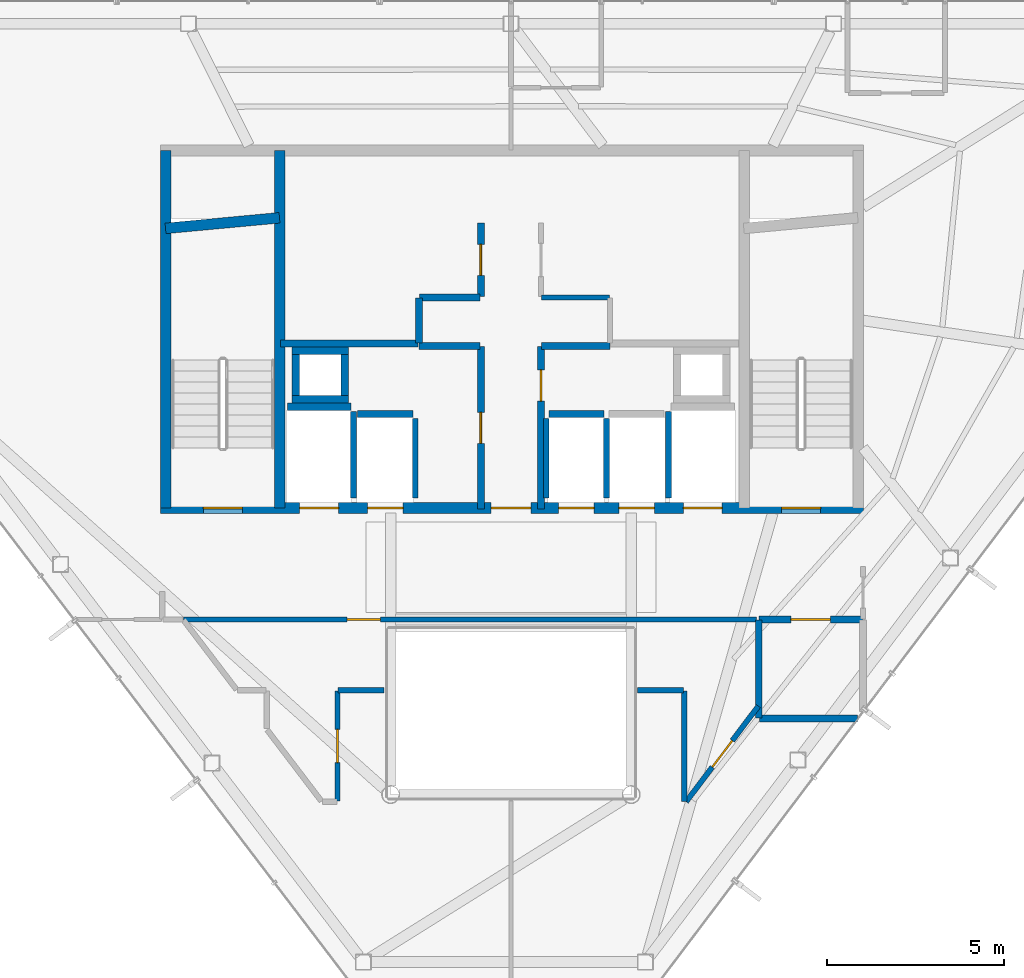
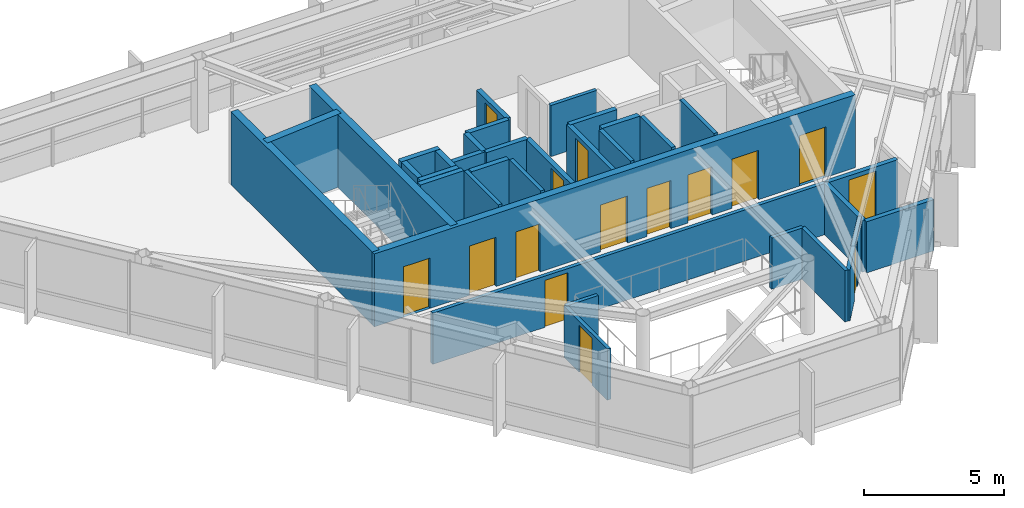
# One storey, part 21 of 23: 34 walls, 15 doors, 15 openings.
"""IFC4 building model written with IfcOpenShell, lengths in metres."""

from ifc_helpers import new_model, si_unit, direction, frame, frame_2d, origin, place, context, subcontext, project, spatial, rectangle, extrude, material, layer, layer_set, type_object, element, fill, save


model = new_model("IFC4")

# Units and contexts
model_context = context("Model", 3, precision=1e-05, world=origin(), true_north=direction((0.0, 1.0)))
body_context = subcontext(model_context, "Body", "Model", "MODEL_VIEW")
ifc_project = project(units=[si_unit("LENGTHUNIT", "METRE"), si_unit("AREAUNIT", "SQUARE_METRE"), si_unit("VOLUMEUNIT", "CUBIC_METRE"), si_unit("PLANEANGLEUNIT", "RADIAN"), si_unit("MASSUNIT", "GRAM", prefix="KILO")], contexts=[model_context])

# Site, building, storey
site_placement = place(None, origin())
site = spatial("IfcSite", under=ifc_project, at=site_placement, CompositionType="ELEMENT")
building_placement = place(site_placement, origin())
building = spatial("IfcBuilding", under=site, at=building_placement, Name="Zarrinselat Tower", CompositionType="ELEMENT")
storey_placement = place(building_placement, frame((0.0, 0.0, 282.199951171875)))
storey = spatial("IfcBuildingStorey", under=building, at=storey_placement, Name="L72", CompositionType="ELEMENT", Elevation=282.199951171875)

# Wall, opening, door
ifc_material_1 = material(Name="Concrete C40/50", Category="concrete")
ifc_layer_1 = layer(ifc_material_1, 0.18994140625)
ifc_layer_set_1 = layer_set([ifc_layer_1], Name="Concrete C40/50")
wall_type_1 = type_object("IfcWallType", Name="WAL-PART-EI120", PredefinedType="PARTITIONING", material=ifc_layer_set_1)
wall_1_placement = place(storey_placement, frame((45.405029296875, 30.14990234375, 0.0), z_axis=(0.0, 0.0, 1.0), x_axis=(1.0, 0.0, 0.0)))
wall_1 = element("IfcWall", 1, at=wall_1_placement, inside=storey, type_object=wall_type_1, Name="L72 Partition Wall 13", PredefinedType="PARTITIONING", context=body_context, shape_type="SweptSolid", body=[
    extrude(rectangle(XDim=2.925048828125, YDim=0.18994140625, at=frame_2d((1.46240234375, 0.0))), origin(), (0.0, 0.0, 1.0), 2.235107421875),
])
opening_1_placement = place(wall_1_placement, frame((0.902587890625, 0.0, 0.0)))
opening_1 = element("IfcOpeningElement", 2, at=opening_1_placement, cuts=wall_1, Name="Opening ID-02", PredefinedType="OPENING", context=body_context, shape_type="SweptSolid", body=[
    extrude(rectangle(XDim=1.1201171875, YDim=2.050048828125, at=frame_2d((0.56005859375, 1.02490234375))), frame((0.0, 0.10498046875, 0.0), z_axis=(0.0, -1.0, 0.0), x_axis=(1.0, 0.0, 0.0)), (0.0, 0.0, 1.0), 0.2099609375),
])
ifc_material_2 = material(Name="Steel S355J2", Category="steel")
door_type_1 = type_object("IfcDoorType", Name="DR-INT-FD60-W", OperationType="NOTDEFINED", PredefinedType="DOOR", material=ifc_material_2)
door_1_placement = place(opening_1_placement, origin())
door_1 = element("IfcDoor", 3, at=door_1_placement, inside=storey, type_object=door_type_1, Name="L72 Interior Door P13", OperationType="SINGLE_SWING_RIGHT", OverallHeight=2.050048828125, OverallWidth=1.1201171875, PredefinedType="DOOR", context=body_context, shape_type="SweptSolid", body=[
    extrude(rectangle(XDim=1.1201171875, YDim=2.050048828125, at=frame_2d((0.56005859375, 1.02490234375))), frame((0.0, 0.02490234375, 0.0), z_axis=(0.0, -1.0, 0.0), x_axis=(1.0, 0.0, 0.0)), (0.0, 0.0, 1.0), 0.050048828125),
])
fill(opening_1, door_1)

# Walls
wall_2_placement = place(storey_placement, frame((45.39990234375, 27.3701171875, 0.0), z_axis=(0.0, 0.0, 1.0), x_axis=(0.0, 1.0, 0.0)))
element("IfcWall", 4, at=wall_2_placement, inside=storey, type_object=wall_type_1, Name="L72 Partition Wall 18", PredefinedType="PARTITIONING", context=body_context, shape_type="SweptSolid", body=[
    extrude(rectangle(XDim=2.759765625, YDim=0.18994140625, at=frame_2d((1.3798828125, 0.0))), origin(), (0.0, 0.0, 1.0), 2.235107421875),
])
wall_3_placement = place(storey_placement, frame((45.419921875, 27.35009765625, 0.0), z_axis=(0.0, 0.0, 1.0), x_axis=(1.0, 0.0, 0.0)))
element("IfcWall", 5, at=wall_3_placement, inside=storey, type_object=wall_type_1, Name="L72 Partition Wall 19", PredefinedType="PARTITIONING", context=body_context, shape_type="SweptSolid", body=[
    extrude(rectangle(XDim=2.772216796875, YDim=0.18994140625, at=frame_2d((1.38623046875, 0.0))), origin(), (0.0, 0.0, 1.0), 2.235107421875),
])
ifc_material_3 = material(Name="Fire-Rated Gypsum Board Partition", Category="gypsum")
ifc_layer_2 = layer(ifc_material_3, 0.14990234375)
ifc_layer_set_2 = layer_set([ifc_layer_2], Name="Fire-Rated Gypsum Board Partition")
wall_type_2 = type_object("IfcWallType", Name="WAL-PART-EI60", PredefinedType="PARTITIONING", material=ifc_layer_set_2)
wall_4_placement = place(storey_placement, frame((39.27001953125, 39.25, 0.0), z_axis=(0.0, 0.0, 1.0), x_axis=(1.0, 0.0, 0.0)))
element("IfcWall", 6, at=wall_4_placement, inside=storey, type_object=wall_type_2, Name="L72 Partition Wall 9", PredefinedType="PARTITIONING", context=body_context, shape_type="SweptSolid", body=[
    extrude(rectangle(XDim=1.909912109375, YDim=0.14990234375, at=frame_2d((0.955078125, 0.0))), origin(), (0.0, 0.0, 1.0), 2.235107421875),
])

# Wall, opening, door
wall_5_placement = place(storey_placement, frame((29.141357421875, 30.14990234375, 0.0), z_axis=(0.0, 0.0, 1.0), x_axis=(1.0, 0.0, 0.0)))
wall_5 = element("IfcWall", 7, at=wall_5_placement, inside=storey, type_object=wall_type_2, Name="L72 Partition Wall 14", PredefinedType="PARTITIONING", context=body_context, shape_type="SweptSolid", body=[
    extrude(rectangle(XDim=16.20361328125, YDim=0.14990234375, at=frame_2d((8.101806640625, 0.0))), origin(), (0.0, 0.0, 1.0), 2.235107421875),
])
opening_2_placement = place(wall_5_placement, frame((4.6318359375, 0.0, 0.0)))
opening_2 = element("IfcOpeningElement", 8, at=opening_2_placement, cuts=wall_5, Name="Opening ID-04", PredefinedType="OPENING", context=body_context, shape_type="SweptSolid", body=[
    extrude(rectangle(XDim=0.93994140625, YDim=2.050048828125, at=frame_2d((0.469970703125, 1.02490234375))), frame((0.0, 0.0849609375, 0.0), z_axis=(0.0, -1.0, 0.0), x_axis=(1.0, 0.0, 0.0)), (0.0, 0.0, 1.0), 0.169921875),
])
ifc_material_4 = material(Name="Fire-Rated Gypsum Board Partition")
door_type_2 = type_object("IfcDoorType", Name="DR-INT-FD30-ENT", OperationType="NOTDEFINED", PredefinedType="DOOR", material=ifc_material_4)
door_2_placement = place(opening_2_placement, origin())
door_2 = element("IfcDoor", 9, at=door_2_placement, inside=storey, type_object=door_type_2, Name="L72 Interior Door P14", OperationType="SINGLE_SWING_LEFT", OverallHeight=2.050048828125, OverallWidth=0.93994140625, PredefinedType="DOOR", context=body_context, shape_type="SweptSolid", body=[
    extrude(rectangle(XDim=0.93994140625, YDim=2.050048828125, at=frame_2d((0.469970703125, 1.02490234375))), frame((0.0, 0.02490234375, 0.0), z_axis=(0.0, -1.0, 0.0), x_axis=(1.0, 0.0, 0.0)), (0.0, 0.0, 1.0), 0.050048828125),
])
fill(opening_2, door_2)

wall_6_placement = place(storey_placement, frame((43.351318359375, 25.0, 0.0), z_axis=(0.0, 0.0, 1.0), x_axis=(0.602454578258, 0.798153168969, 0.0)))
wall_6 = element("IfcWall", 10, at=wall_6_placement, inside=storey, type_object=wall_type_2, Name="L72 Partition Wall 21", PredefinedType="PARTITIONING", context=body_context, shape_type="SweptSolid", body=[
    extrude(rectangle(XDim=3.3857421875, YDim=0.14990234375, at=frame_2d((1.69287109375, 0.0))), origin(), (0.0, 0.0, 1.0), 2.235107421875),
])
opening_3_placement = place(wall_6_placement, frame((1.222900390625, 0.0, 0.0)))
opening_3 = element("IfcOpeningElement", 11, at=opening_3_placement, cuts=wall_6, Name="Opening ID-04", PredefinedType="OPENING", context=body_context, shape_type="SweptSolid", body=[
    extrude(rectangle(XDim=0.93994140625, YDim=2.050048828125, at=frame_2d((0.469970703125, 1.02490234375))), frame((0.0, 0.0849609375, 0.0), z_axis=(0.0, -1.0, 0.0), x_axis=(1.0, 0.0, 0.0)), (0.0, 0.0, 1.0), 0.169921875),
])
door_3_placement = place(opening_3_placement, origin())
door_3 = element("IfcDoor", 12, at=door_3_placement, inside=storey, type_object=door_type_2, Name="L72 Interior Door P21", OperationType="SINGLE_SWING_LEFT", OverallHeight=2.050048828125, OverallWidth=0.93994140625, PredefinedType="DOOR", context=body_context, shape_type="SweptSolid", body=[
    extrude(rectangle(XDim=0.93994140625, YDim=2.050048828125, at=frame_2d((0.469970703125, 1.02490234375))), frame((0.0, 0.02490234375, 0.0), z_axis=(0.0, -1.0, 0.0), x_axis=(1.0, 0.0, 0.0)), (0.0, 0.0, 1.0), 0.050048828125),
])
fill(opening_3, door_3)

# Walls
wall_7_placement = place(storey_placement, frame((43.300048828125, 25.0, 0.0), z_axis=(0.0, 0.0, 1.0), x_axis=(0.0, 1.0, 0.0)))
element("IfcWall", 13, at=wall_7_placement, inside=storey, type_object=wall_type_2, Name="L72 Partition Wall 22", PredefinedType="PARTITIONING", context=body_context, shape_type="SweptSolid", body=[
    extrude(rectangle(XDim=3.1298828125, YDim=0.14990234375, at=frame_2d((1.56494140625, 0.0))), origin(), (0.0, 0.0, 1.0), 2.235107421875),
])
for number, where, z_axis, x_axis, name in (
    (14, (41.97998046875, 28.14990234375, 0.0), (0.0, 0.0, 1.0), (1.0, 0.0, 0.0), "L72 Partition Wall 23"),
    (15, (33.52001953125, 28.14990234375, 0.0), (0.0, 0.0, 1.0), (1.0, 0.0, 0.0), "L72 Partition Wall 24"),
):
    element("IfcWall", number, at=place(storey_placement, frame(where, z_axis=z_axis, x_axis=x_axis)), inside=storey, type_object=wall_type_2, Name=name, PredefinedType="PARTITIONING", context=body_context, shape_type="SweptSolid", body=[
        extrude(rectangle(XDim=1.300048828125, YDim=0.14990234375, at=frame_2d((0.64990234375, 0.0))), origin(), (0.0, 0.0, 1.0), 2.235107421875),
    ])

# Wall, opening, door
wall_8_placement = place(storey_placement, frame((33.5, 25.02001953125, 0.0), z_axis=(0.0, 0.0, 1.0), x_axis=(0.0, 1.0, 0.0)))
wall_8 = element("IfcWall", 16, at=wall_8_placement, inside=storey, type_object=wall_type_2, Name="L72 Partition Wall 25", PredefinedType="PARTITIONING", context=body_context, shape_type="SweptSolid", body=[
    extrude(rectangle(XDim=3.10986328125, YDim=0.14990234375, at=frame_2d((1.554931640625, 0.0))), origin(), (0.0, 0.0, 1.0), 2.235107421875),
])
opening_4_placement = place(wall_8_placement, frame((1.0849609375, 0.0, 0.0)))
opening_4 = element("IfcOpeningElement", 17, at=opening_4_placement, cuts=wall_8, Name="Opening ID-04", PredefinedType="OPENING", context=body_context, shape_type="SweptSolid", body=[
    extrude(rectangle(XDim=0.93994140625, YDim=2.050048828125, at=frame_2d((0.469970703125, 1.02490234375))), frame((0.0, 0.0849609375, 0.0), z_axis=(0.0, -1.0, 0.0), x_axis=(1.0, 0.0, 0.0)), (0.0, 0.0, 1.0), 0.169921875),
])
door_4_placement = place(opening_4_placement, origin())
door_4 = element("IfcDoor", 18, at=door_4_placement, inside=storey, type_object=door_type_2, Name="L72 Interior Door P25", OperationType="SINGLE_SWING_RIGHT", OverallHeight=2.050048828125, OverallWidth=0.93994140625, PredefinedType="DOOR", context=body_context, shape_type="SweptSolid", body=[
    extrude(rectangle(XDim=0.93994140625, YDim=2.050048828125, at=frame_2d((0.469970703125, 1.02490234375))), frame((0.0, 0.02490234375, 0.0), z_axis=(0.0, -1.0, 0.0), x_axis=(1.0, 0.0, 0.0)), (0.0, 0.0, 1.0), 0.050048828125),
])
fill(opening_4, door_4)

ifc_material_5 = material(Name="Concrete C40/50", Category="concrete")
ifc_layer_3 = layer(ifc_material_5, 0.199951171875)
ifc_layer_set_3 = layer_set([ifc_layer_3], Name="Concrete C40/50")
wall_type_3 = type_object("IfcWallType", Name="WAL-PART-PLANT", PredefinedType="PARTITIONING", material=ifc_layer_set_3)
wall_9_placement = place(storey_placement, frame((37.550048828125, 33.264892578125, 0.0), z_axis=(0.0, 0.0, 1.0), x_axis=(0.0, 1.0, 0.0)))
wall_9 = element("IfcWall", 19, at=wall_9_placement, inside=storey, type_object=wall_type_3, Name="L72 Partition Wall 1", PredefinedType="PARTITIONING", context=body_context, shape_type="SweptSolid", body=[
    extrude(rectangle(XDim=4.59521484375, YDim=0.199951171875, at=frame_2d((2.297607421875, 0.0))), origin(), (0.0, 0.0, 1.0), 2.235107421875),
])
opening_5_placement = place(wall_9_placement, frame((1.857421875, 0.0, 0.0)))
opening_5 = element("IfcOpeningElement", 20, at=opening_5_placement, cuts=wall_9, Name="Opening ID-03", PredefinedType="OPENING", context=body_context, shape_type="SweptSolid", body=[
    extrude(rectangle(XDim=0.8798828125, YDim=2.050048828125, at=frame_2d((0.43994140625, 1.02490234375))), frame((0.0, 0.10986328125, 0.0), z_axis=(0.0, -1.0, 0.0), x_axis=(1.0, 0.0, 0.0)), (0.0, 0.0, 1.0), 0.219970703125),
])
ifc_material_6 = material(Name="Steel S355J2", Category="steel")
door_type_3 = type_object("IfcDoorType", Name="DR-INT-FD60-S", OperationType="NOTDEFINED", PredefinedType="DOOR", material=ifc_material_6)
door_5_placement = place(opening_5_placement, origin())
door_5 = element("IfcDoor", 21, at=door_5_placement, inside=storey, type_object=door_type_3, Name="L72 Interior Door P1", OperationType="SINGLE_SWING_RIGHT", OverallHeight=2.050048828125, OverallWidth=0.8798828125, PredefinedType="DOOR", context=body_context, shape_type="SweptSolid", body=[
    extrude(rectangle(XDim=0.8798828125, YDim=2.050048828125, at=frame_2d((0.43994140625, 1.02490234375))), frame((0.0, 0.02490234375, 0.0), z_axis=(0.0, -1.0, 0.0), x_axis=(1.0, 0.0, 0.0)), (0.0, 0.0, 1.0), 0.050048828125),
])
fill(opening_5, door_5)

# Walls
wall_10_placement = place(storey_placement, frame((35.800048828125, 37.8798828125, 0.0), z_axis=(0.0, 0.0, 1.0), x_axis=(1.0, 0.0, 0.0)))
element("IfcWall", 22, at=wall_10_placement, inside=storey, type_object=wall_type_3, Name="L72 Partition Wall 2", PredefinedType="PARTITIONING", context=body_context, shape_type="SweptSolid", body=[
    extrude(rectangle(XDim=1.72998046875, YDim=0.199951171875, at=frame_2d((0.864990234375, 0.0))), origin(), (0.0, 0.0, 1.0), 2.235107421875),
])
wall_11_placement = place(storey_placement, frame((35.800048828125, 37.955078125, 0.0), z_axis=(0.0, 0.0, 1.0), x_axis=(0.0, 1.0, 0.0)))
element("IfcWall", 23, at=wall_11_placement, inside=storey, type_object=wall_type_3, Name="L72 Partition Wall 3", PredefinedType="PARTITIONING", context=body_context, shape_type="SweptSolid", body=[
    extrude(rectangle(XDim=1.27490234375, YDim=0.199951171875, at=frame_2d((0.637451171875, 0.0))), origin(), (0.0, 0.0, 1.0), 2.235107421875),
])
wall_12_placement = place(storey_placement, frame((35.820068359375, 39.25, 0.0), z_axis=(0.0, 0.0, 1.0), x_axis=(1.0, 0.0, 0.0)))
element("IfcWall", 24, at=wall_12_placement, inside=storey, type_object=wall_type_3, Name="L72 Partition Wall 4", PredefinedType="PARTITIONING", context=body_context, shape_type="SweptSolid", body=[
    extrude(rectangle(XDim=1.7099609375, YDim=0.199951171875, at=frame_2d((0.85498046875, 0.0))), origin(), (0.0, 0.0, 1.0), 2.235107421875),
])

# Wall, opening, door
wall_13_placement = place(storey_placement, frame((37.550048828125, 39.27001953125, 0.0), z_axis=(0.0, 0.0, 1.0), x_axis=(0.0, 1.0, 0.0)))
wall_13 = element("IfcWall", 25, at=wall_13_placement, inside=storey, type_object=wall_type_3, Name="L72 Partition Wall 5", PredefinedType="PARTITIONING", context=body_context, shape_type="SweptSolid", body=[
    extrude(rectangle(XDim=2.080078125, YDim=0.199951171875, at=frame_2d((1.0400390625, 0.0))), origin(), (0.0, 0.0, 1.0), 2.235107421875),
])
opening_6_placement = place(wall_13_placement, frame((0.60009765625, 0.0, 0.0)))
opening_6 = element("IfcOpeningElement", 26, at=opening_6_placement, cuts=wall_13, Name="Opening ID-03", PredefinedType="OPENING", context=body_context, shape_type="SweptSolid", body=[
    extrude(rectangle(XDim=0.8798828125, YDim=2.050048828125, at=frame_2d((0.43994140625, 1.02490234375))), frame((0.0, 0.10986328125, 0.0), z_axis=(0.0, -1.0, 0.0), x_axis=(1.0, 0.0, 0.0)), (0.0, 0.0, 1.0), 0.219970703125),
])
door_6_placement = place(opening_6_placement, origin())
door_6 = element("IfcDoor", 27, at=door_6_placement, inside=storey, type_object=door_type_3, Name="L72 Interior Door P5", OperationType="SINGLE_SWING_LEFT", OverallHeight=2.050048828125, OverallWidth=0.8798828125, PredefinedType="DOOR", context=body_context, shape_type="SweptSolid", body=[
    extrude(rectangle(XDim=0.8798828125, YDim=2.050048828125, at=frame_2d((0.43994140625, 1.02490234375))), frame((0.0, 0.02490234375, 0.0), z_axis=(0.0, -1.0, 0.0), x_axis=(1.0, 0.0, 0.0)), (0.0, 0.0, 1.0), 0.050048828125),
])
fill(opening_6, door_6)

# Wall
wall_14_placement = place(storey_placement, frame((39.27001953125, 37.8798828125, 0.0), z_axis=(0.0, 0.0, 1.0), x_axis=(1.0, 0.0, 0.0)))
element("IfcWall", 28, at=wall_14_placement, inside=storey, type_object=wall_type_3, Name="L72 Partition Wall 6", PredefinedType="PARTITIONING", context=body_context, shape_type="SweptSolid", body=[
    extrude(rectangle(XDim=1.929931640625, YDim=0.199951171875, at=frame_2d((0.96484375, 0.0))), origin(), (0.0, 0.0, 1.0), 2.235107421875),
])

# Wall, opening, door
wall_15_placement = place(storey_placement, frame((39.25, 33.264892578125, 0.0), z_axis=(0.0, 0.0, 1.0), x_axis=(0.0, 1.0, 0.0)))
wall_15 = element("IfcWall", 29, at=wall_15_placement, inside=storey, type_object=wall_type_3, Name="L72 Partition Wall 7", PredefinedType="PARTITIONING", context=body_context, shape_type="SweptSolid", body=[
    extrude(rectangle(XDim=4.59521484375, YDim=0.199951171875, at=frame_2d((2.297607421875, 0.0))), origin(), (0.0, 0.0, 1.0), 2.235107421875),
])
opening_7_placement = place(wall_15_placement, frame((3.0576171875, 0.0, 0.0)))
opening_7 = element("IfcOpeningElement", 30, at=opening_7_placement, cuts=wall_15, Name="Opening ID-03", PredefinedType="OPENING", context=body_context, shape_type="SweptSolid", body=[
    extrude(rectangle(XDim=0.8798828125, YDim=2.050048828125, at=frame_2d((0.43994140625, 1.02490234375))), frame((0.0, 0.10986328125, 0.0), z_axis=(0.0, -1.0, 0.0), x_axis=(1.0, 0.0, 0.0)), (0.0, 0.0, 1.0), 0.219970703125),
])
door_7_placement = place(opening_7_placement, origin())
door_7 = element("IfcDoor", 31, at=door_7_placement, inside=storey, type_object=door_type_3, Name="L72 Interior Door P7", OperationType="SINGLE_SWING_RIGHT", OverallHeight=2.050048828125, OverallWidth=0.8798828125, PredefinedType="DOOR", context=body_context, shape_type="SweptSolid", body=[
    extrude(rectangle(XDim=0.8798828125, YDim=2.050048828125, at=frame_2d((0.43994140625, 1.02490234375))), frame((0.0, 0.02490234375, 0.0), z_axis=(0.0, -1.0, 0.0), x_axis=(1.0, 0.0, 0.0)), (0.0, 0.0, 1.0), 0.050048828125),
])
fill(opening_7, door_7)

# Walls
wall_16_placement = place(storey_placement, frame((31.885009765625, 37.949951171875, 0.0), z_axis=(0.0, 0.0, 1.0), x_axis=(1.0, 0.0, 0.0)))
element("IfcWall", 32, at=wall_16_placement, inside=storey, type_object=wall_type_3, Name="L72 Partition Wall 11", PredefinedType="PARTITIONING", context=body_context, shape_type="SweptSolid", body=[
    extrude(rectangle(XDim=3.89501953125, YDim=0.199951171875, at=frame_2d((1.947509765625, 0.0))), origin(), (0.0, 0.0, 1.0), 2.235107421875),
])
ifc_material_7 = material(Name="Concrete C40/50", Category="concrete")
ifc_layer_4 = layer(ifc_material_7, 0.2099609375)
ifc_layer_set_4 = layer_set([ifc_layer_4], Name="Concrete C40/50")
wall_type_4 = type_object("IfcWallType", Name="WAL-SHAFT-210", PredefinedType="SOLIDWALL", material=ifc_layer_set_4)
wall_17_placement = place(storey_placement, frame((32.080078125, 36.155029296875, 0.0), z_axis=(0.0, 0.0, 1.0), x_axis=(1.0, 0.0, 0.0)))
element("IfcWall", 33, at=wall_17_placement, inside=storey, type_object=wall_type_4, Name="L72 Lift FFL1 North Shaft Wall", PredefinedType="SOLIDWALL", context=body_context, shape_type="SweptSolid", body=[
    extrude(rectangle(XDim=1.7998046875, YDim=0.2099609375, at=frame_2d((0.89990234375, 0.0))), origin(), (0.0, 0.0, 1.0), 3.179931640625),
])
for number, where, z_axis, x_axis, name in (
    (34, (33.949951171875, 33.580078125, 0.0), (0.0, 0.0, 1.0), (0.0, 1.0, 0.0), "L72 Lift FFL1 E Shaft Wall"),
    (35, (42.85009765625, 33.580078125, 0.0), (0.0, 0.0, 1.0), (0.0, 1.0, 0.0), "L72 Lift FFL2 W Shaft Wall"),
):
    element("IfcWall", number, at=place(storey_placement, frame(where, z_axis=z_axis, x_axis=x_axis)), inside=storey, type_object=wall_type_4, Name=name, PredefinedType="SOLIDWALL", context=body_context, shape_type="SweptSolid", body=[
        extrude(rectangle(XDim=2.449951171875, YDim=0.159912109375, at=frame_2d((1.22509765625, 0.0))), origin(), (0.0, 0.0, 1.0), 3.179931640625),
    ])
wall_18_placement = place(storey_placement, frame((39.469970703125, 35.955078125, 0.0), z_axis=(0.0, 0.0, 1.0), x_axis=(1.0, 0.0, 0.0)))
element("IfcWall", 36, at=wall_18_placement, inside=storey, type_object=wall_type_4, Name="L72 Lift PL8 North Shaft Wall", PredefinedType="SOLIDWALL", context=body_context, shape_type="SweptSolid", body=[
    extrude(rectangle(XDim=1.56005859375, YDim=0.2099609375, at=frame_2d((0.780029296875, 0.0))), origin(), (0.0, 0.0, 1.0), 3.179931640625),
])
for number, where, z_axis, x_axis, name in (
    (37, (39.39990234375, 33.580078125, 0.0), (0.0, 0.0, 1.0), (0.0, 1.0, 0.0), "L72 Lift PL8 W Shaft Wall"),
    (38, (41.10009765625, 33.580078125, 0.0), (0.0, 0.0, 1.0), (0.0, 1.0, 0.0), "L72 Lift PL8 E Shaft Wall"),
):
    element("IfcWall", number, at=place(storey_placement, frame(where, z_axis=z_axis, x_axis=x_axis)), inside=storey, type_object=wall_type_4, Name=name, PredefinedType="SOLIDWALL", context=body_context, shape_type="SweptSolid", body=[
        extrude(rectangle(XDim=2.25, YDim=0.159912109375, at=frame_2d((1.125, 0.0))), origin(), (0.0, 0.0, 1.0), 3.179931640625),
    ])
wall_19_placement = place(storey_placement, frame((34.070068359375, 35.955078125, 0.0), z_axis=(0.0, 0.0, 1.0), x_axis=(1.0, 0.0, 0.0)))
element("IfcWall", 39, at=wall_19_placement, inside=storey, type_object=wall_type_4, Name="L72 Lift PL10 North Shaft Wall", PredefinedType="SOLIDWALL", context=body_context, shape_type="SweptSolid", body=[
    extrude(rectangle(XDim=1.559814453125, YDim=0.2099609375, at=frame_2d((0.77978515625, 0.0))), origin(), (0.0, 0.0, 1.0), 3.179931640625),
])
wall_20_placement = place(storey_placement, frame((35.699951171875, 33.580078125, 0.0), z_axis=(0.0, 0.0, 1.0), x_axis=(0.0, 1.0, 0.0)))
element("IfcWall", 40, at=wall_20_placement, inside=storey, type_object=wall_type_4, Name="L72 Lift PL10 E Shaft Wall", PredefinedType="SOLIDWALL", context=body_context, shape_type="SweptSolid", body=[
    extrude(rectangle(XDim=2.25, YDim=0.159912109375, at=frame_2d((1.125, 0.0))), origin(), (0.0, 0.0, 1.0), 3.179931640625),
])
for number, where, z_axis, x_axis, name in (
    (41, (32.2099609375, 36.375, 0.0), (0.0, 0.0, 1.0), (1.0, 0.0, 0.0), "L72 Core Riser RSR-W S Shaft Wall"),
    (42, (32.2099609375, 37.7451171875, 0.0), (0.0, 0.0, 1.0), (1.0, 0.0, 0.0), "L72 Core Riser RSR-W N Shaft Wall"),
):
    element("IfcWall", number, at=place(storey_placement, frame(where, z_axis=z_axis, x_axis=x_axis)), inside=storey, type_object=wall_type_4, Name=name, PredefinedType="SOLIDWALL", context=body_context, shape_type="SweptSolid", body=[
        extrude(rectangle(XDim=1.60009765625, YDim=0.2099609375, at=frame_2d((0.800048828125, 0.0))), origin(), (0.0, 0.0, 1.0), 3.179931640625),
    ])
for number, where, z_axis, x_axis, name in (
    (43, (32.31494140625, 36.485107421875, 0.0), (0.0, 0.0, 1.0), (0.0, 1.0, 0.0), "L72 Core Riser RSR-W W Shaft Wall"),
    (44, (33.705078125, 36.485107421875, 0.0), (0.0, 0.0, 1.0), (0.0, 1.0, 0.0), "L72 Core Riser RSR-W E Shaft Wall"),
):
    element("IfcWall", number, at=place(storey_placement, frame(where, z_axis=z_axis, x_axis=x_axis)), inside=storey, type_object=wall_type_4, Name=name, PredefinedType="SOLIDWALL", context=body_context, shape_type="SweptSolid", body=[
        extrude(rectangle(XDim=1.14990234375, YDim=0.2099609375, at=frame_2d((0.574951171875, 0.0))), origin(), (0.0, 0.0, 1.0), 3.179931640625),
    ])

# Wall, openings, doors
ifc_material_8 = material(Name="Concrete C40/50", Category="concrete")
ifc_layer_5 = layer(ifc_material_8, 0.300048828125)
ifc_layer_set_5 = layer_set([ifc_layer_5], Name="Concrete C40/50")
wall_type_5 = type_object("IfcWallType", Name="WAL-SHEAR-300", PredefinedType="SHEAR", material=ifc_layer_set_5)
wall_21_placement = place(storey_placement, frame((28.5, 33.300048828125, 0.0), z_axis=(0.0, 0.0, 1.0), x_axis=(1.0, 0.0, 0.0)))
wall_21 = element("IfcWall", 45, at=wall_21_placement, inside=storey, type_object=wall_type_5, Name="L72 South Core Shear Wall", PredefinedType="SHEAR", context=body_context, shape_type="SweptSolid", body=[
    extrude(rectangle(XDim=19.860107421875, YDim=0.300048828125, at=frame_2d((9.93017578125, 0.0))), origin(), (0.0, 0.0, 1.0), 3.179931640625),
])
opening_8_placement = place(wall_21_placement, frame((3.929931640625, 0.0, 0.0)))
opening_8 = element("IfcOpeningElement", 46, at=opening_8_placement, cuts=wall_21, Name="Opening LD-FFL1", PredefinedType="OPENING", context=body_context, shape_type="SweptSolid", body=[
    extrude(rectangle(XDim=1.10009765625, YDim=2.14990234375, at=frame_2d((0.550048828125, 1.074951171875))), frame((0.0, 0.159912109375, 0.0), z_axis=(0.0, -1.0, 0.0), x_axis=(1.0, 0.0, 0.0)), (0.0, 0.0, 1.0), 0.320068359375),
])
opening_9_placement = place(wall_21_placement, frame((14.77001953125, 0.0, 0.0)))
opening_9 = element("IfcOpeningElement", 47, at=opening_9_placement, cuts=wall_21, Name="Opening LD-FFL2", PredefinedType="OPENING", context=body_context, shape_type="SweptSolid", body=[
    extrude(rectangle(XDim=1.10009765625, YDim=2.14990234375, at=frame_2d((0.550048828125, 1.074951171875))), frame((0.0, 0.159912109375, 0.0), z_axis=(0.0, -1.0, 0.0), x_axis=(1.0, 0.0, 0.0)), (0.0, 0.0, 1.0), 0.320068359375),
])
opening_10_placement = place(wall_21_placement, frame((11.25, 0.0, 0.0)))
opening_10 = element("IfcOpeningElement", 48, at=opening_10_placement, cuts=wall_21, Name="Opening LD-PL8", PredefinedType="OPENING", context=body_context, shape_type="SweptSolid", body=[
    extrude(rectangle(XDim=1.0, YDim=2.10009765625, at=frame_2d((0.5, 1.050048828125))), frame((0.0, 0.159912109375, 0.0), z_axis=(0.0, -1.0, 0.0), x_axis=(1.0, 0.0, 0.0)), (0.0, 0.0, 1.0), 0.320068359375),
])
opening_11_placement = place(wall_21_placement, frame((12.949951171875, 0.0, 0.0)))
opening_11 = element("IfcOpeningElement", 49, at=opening_11_placement, cuts=wall_21, Name="Opening LD-PL9", PredefinedType="OPENING", context=body_context, shape_type="SweptSolid", body=[
    extrude(rectangle(XDim=1.0, YDim=2.10009765625, at=frame_2d((0.5, 1.050048828125))), frame((0.0, 0.159912109375, 0.0), z_axis=(0.0, -1.0, 0.0), x_axis=(1.0, 0.0, 0.0)), (0.0, 0.0, 1.0), 0.320068359375),
])
opening_12_placement = place(wall_21_placement, frame((5.85009765625, 0.0, 0.0)))
opening_12 = element("IfcOpeningElement", 50, at=opening_12_placement, cuts=wall_21, Name="Opening LD-PL10", PredefinedType="OPENING", context=body_context, shape_type="SweptSolid", body=[
    extrude(rectangle(XDim=1.0, YDim=2.10009765625, at=frame_2d((0.5, 1.050048828125))), frame((0.0, 0.159912109375, 0.0), z_axis=(0.0, -1.0, 0.0), x_axis=(1.0, 0.0, 0.0)), (0.0, 0.0, 1.0), 0.320068359375),
])
opening_13_placement = place(wall_21_placement, frame((1.2099609375, 0.0, 0.0)))
opening_13 = element("IfcOpeningElement", 51, at=opening_13_placement, cuts=wall_21, Name="Opening SD-01", PredefinedType="OPENING", context=body_context, shape_type="SweptSolid", body=[
    extrude(rectangle(XDim=1.10009765625, YDim=2.199951171875, at=frame_2d((0.550048828125, 1.10009765625))), frame((0.0, 0.159912109375, 0.0), z_axis=(0.0, -1.0, 0.0), x_axis=(1.0, 0.0, 0.0)), (0.0, 0.0, 1.0), 0.320068359375),
])
opening_14_placement = place(wall_21_placement, frame((9.340087890625, 0.0, 0.0)))
opening_14 = element("IfcOpeningElement", 52, at=opening_14_placement, cuts=wall_21, Name="Opening ID-02", PredefinedType="OPENING", context=body_context, shape_type="SweptSolid", body=[
    extrude(rectangle(XDim=1.1201171875, YDim=2.050048828125, at=frame_2d((0.56005859375, 1.02490234375))), frame((0.0, 0.159912109375, 0.0), z_axis=(0.0, -1.0, 0.0), x_axis=(1.0, 0.0, 0.0)), (0.0, 0.0, 1.0), 0.320068359375),
])
opening_15_placement = place(wall_21_placement, frame((17.550048828125, 0.0, 0.0)))
opening_15 = element("IfcOpeningElement", 53, at=opening_15_placement, cuts=wall_21, Name="Opening SD-01", PredefinedType="OPENING", context=body_context, shape_type="SweptSolid", body=[
    extrude(rectangle(XDim=1.10009765625, YDim=2.199951171875, at=frame_2d((0.550048828125, 1.10009765625))), frame((0.0, 0.159912109375, 0.0), z_axis=(0.0, -1.0, 0.0), x_axis=(1.0, 0.0, 0.0)), (0.0, 0.0, 1.0), 0.320068359375),
])
door_8_placement = place(opening_14_placement, origin())
door_8 = element("IfcDoor", 54, at=door_8_placement, inside=storey, type_object=door_type_1, Name="L72 Core Service Vestibule Fire Door", OperationType="SINGLE_SWING_RIGHT", OverallHeight=2.050048828125, OverallWidth=1.1201171875, PredefinedType="DOOR", context=body_context, shape_type="SweptSolid", body=[
    extrude(rectangle(XDim=1.1201171875, YDim=2.050048828125, at=frame_2d((0.56005859375, 1.02490234375))), frame((0.0, 0.02490234375, 0.0), z_axis=(0.0, -1.0, 0.0), x_axis=(1.0, 0.0, 0.0)), (0.0, 0.0, 1.0), 0.050048828125),
])
fill(opening_14, door_8)
ifc_material_9 = material(Name="Steel S355J2", Category="steel")
door_type_4 = type_object("IfcDoorType", Name="DR-LIFT-FF-1100", OperationType="NOTDEFINED", PredefinedType="DOOR", material=ifc_material_9)
door_9_placement = place(opening_8_placement, origin())
door_9 = element("IfcDoor", 55, at=door_9_placement, inside=storey, type_object=door_type_4, Name="L72 Lift FFL1 Sliding Landing Door", OperationType="SLIDING_TO_LEFT", OverallHeight=2.14990234375, OverallWidth=1.10009765625, PredefinedType="DOOR", context=body_context, shape_type="SweptSolid", body=[
    extrude(rectangle(XDim=1.10009765625, YDim=2.14990234375, at=frame_2d((0.550048828125, 1.074951171875))), frame((0.0, 0.02490234375, 0.0), z_axis=(0.0, -1.0, 0.0), x_axis=(1.0, 0.0, 0.0)), (0.0, 0.0, 1.0), 0.050048828125),
])
fill(opening_8, door_9)
door_10_placement = place(opening_9_placement, origin())
door_10 = element("IfcDoor", 56, at=door_10_placement, inside=storey, type_object=door_type_4, Name="L72 Lift FFL2 Sliding Landing Door", OperationType="SLIDING_TO_RIGHT", OverallHeight=2.14990234375, OverallWidth=1.10009765625, PredefinedType="DOOR", context=body_context, shape_type="SweptSolid", body=[
    extrude(rectangle(XDim=1.10009765625, YDim=2.14990234375, at=frame_2d((0.550048828125, 1.074951171875))), frame((0.0, 0.02490234375, 0.0), z_axis=(0.0, -1.0, 0.0), x_axis=(1.0, 0.0, 0.0)), (0.0, 0.0, 1.0), 0.050048828125),
])
fill(opening_9, door_10)
ifc_material_10 = material(Name="Steel S355J2", Category="steel")
door_type_5 = type_object("IfcDoorType", Name="DR-LIFT-PS-1000", OperationType="NOTDEFINED", PredefinedType="DOOR", material=ifc_material_10)
door_11_placement = place(opening_10_placement, origin())
door_11 = element("IfcDoor", 57, at=door_11_placement, inside=storey, type_object=door_type_5, Name="L72 Lift PL8 Sliding Landing Door", OperationType="SLIDING_TO_RIGHT", OverallHeight=2.10009765625, OverallWidth=1.0, PredefinedType="DOOR", context=body_context, shape_type="SweptSolid", body=[
    extrude(rectangle(XDim=1.0, YDim=2.10009765625, at=frame_2d((0.5, 1.050048828125))), frame((0.0, 0.02490234375, 0.0), z_axis=(0.0, -1.0, 0.0), x_axis=(1.0, 0.0, 0.0)), (0.0, 0.0, 1.0), 0.050048828125),
])
fill(opening_10, door_11)
door_12_placement = place(opening_11_placement, origin())
door_12 = element("IfcDoor", 58, at=door_12_placement, inside=storey, type_object=door_type_5, Name="L72 Lift PL9 Sliding Landing Door", OperationType="SLIDING_TO_LEFT", OverallHeight=2.10009765625, OverallWidth=1.0, PredefinedType="DOOR", context=body_context, shape_type="SweptSolid", body=[
    extrude(rectangle(XDim=1.0, YDim=2.10009765625, at=frame_2d((0.5, 1.050048828125))), frame((0.0, 0.02490234375, 0.0), z_axis=(0.0, -1.0, 0.0), x_axis=(1.0, 0.0, 0.0)), (0.0, 0.0, 1.0), 0.050048828125),
])
fill(opening_11, door_12)
door_13_placement = place(opening_12_placement, origin())
door_13 = element("IfcDoor", 59, at=door_13_placement, inside=storey, type_object=door_type_5, Name="L72 Lift PL10 Sliding Landing Door", OperationType="SLIDING_TO_RIGHT", OverallHeight=2.10009765625, OverallWidth=1.0, PredefinedType="DOOR", context=body_context, shape_type="SweptSolid", body=[
    extrude(rectangle(XDim=1.0, YDim=2.10009765625, at=frame_2d((0.5, 1.050048828125))), frame((0.0, 0.02490234375, 0.0), z_axis=(0.0, -1.0, 0.0), x_axis=(1.0, 0.0, 0.0)), (0.0, 0.0, 1.0), 0.050048828125),
])
fill(opening_12, door_13)
ifc_material_11 = material(Name="Steel S355J2", Category="steel")
door_type_6 = type_object("IfcDoorType", Name="DR-STAIR-1100", OperationType="NOTDEFINED", PredefinedType="DOOR", material=ifc_material_11)
door_14_placement = place(opening_13_placement, origin())
door_14 = element("IfcDoor", 60, at=door_14_placement, inside=storey, type_object=door_type_6, Name="L72 Exit Stair 1 Fire Door", OperationType="SINGLE_SWING_LEFT", OverallHeight=2.199951171875, OverallWidth=1.10009765625, PredefinedType="DOOR", context=body_context, shape_type="SweptSolid", body=[
    extrude(rectangle(XDim=1.10009765625, YDim=2.199951171875, at=frame_2d((0.550048828125, 1.10009765625))), frame((0.0, 0.02490234375, 0.0), z_axis=(0.0, -1.0, 0.0), x_axis=(1.0, 0.0, 0.0)), (0.0, 0.0, 1.0), 0.050048828125),
])
fill(opening_13, door_14)
door_15_placement = place(opening_15_placement, origin())
door_15 = element("IfcDoor", 61, at=door_15_placement, inside=storey, type_object=door_type_6, Name="L72 Exit Stair 2 Fire Door", OperationType="SINGLE_SWING_RIGHT", OverallHeight=2.199951171875, OverallWidth=1.10009765625, PredefinedType="DOOR", context=body_context, shape_type="SweptSolid", body=[
    extrude(rectangle(XDim=1.10009765625, YDim=2.199951171875, at=frame_2d((0.550048828125, 1.10009765625))), frame((0.0, 0.02490234375, 0.0), z_axis=(0.0, -1.0, 0.0), x_axis=(1.0, 0.0, 0.0)), (0.0, 0.0, 1.0), 0.050048828125),
])
fill(opening_15, door_15)

# Walls
for number, where, z_axis, x_axis, name in (
    (62, (28.64990234375, 33.300048828125, 0.0), (0.0, 0.0, 1.0), (0.0, 1.0, 0.0), "L72 Core Shear Wall W"),
    (63, (31.8701171875, 33.300048828125, 0.0), (0.0, 0.0, 1.0), (0.0, 1.0, 0.0), "L72 Core Shear Wall ST1E"),
):
    element("IfcWall", number, at=place(storey_placement, frame(where, z_axis=z_axis, x_axis=x_axis)), inside=storey, type_object=wall_type_5, Name=name, PredefinedType="SHEAR", context=body_context, shape_type="SweptSolid", body=[
        extrude(rectangle(XDim=10.099853515625, YDim=0.300048828125, at=frame_2d((5.0498046875, 0.0))), origin(), (0.0, 0.0, 1.0), 3.179931640625),
    ])
wall_22_placement = place(storey_placement, frame((28.639892578125, 41.199951171875, 0.0), z_axis=(0.0, 0.0, 1.0), x_axis=(0.995687118776, 0.092774789157, 0.0)))
element("IfcWall", 64, at=wall_22_placement, inside=storey, type_object=wall_type_5, Name="L72 Stair 1 North Shaft Wall", PredefinedType="SHEAR", context=body_context, shape_type="SweptSolid", body=[
    extrude(rectangle(XDim=3.234130859375, YDim=0.300048828125, at=frame_2d((1.6171875, 0.0))), origin(), (0.0, 0.0, 1.0), 3.179931640625),
])

save(model, "model.ifc")
